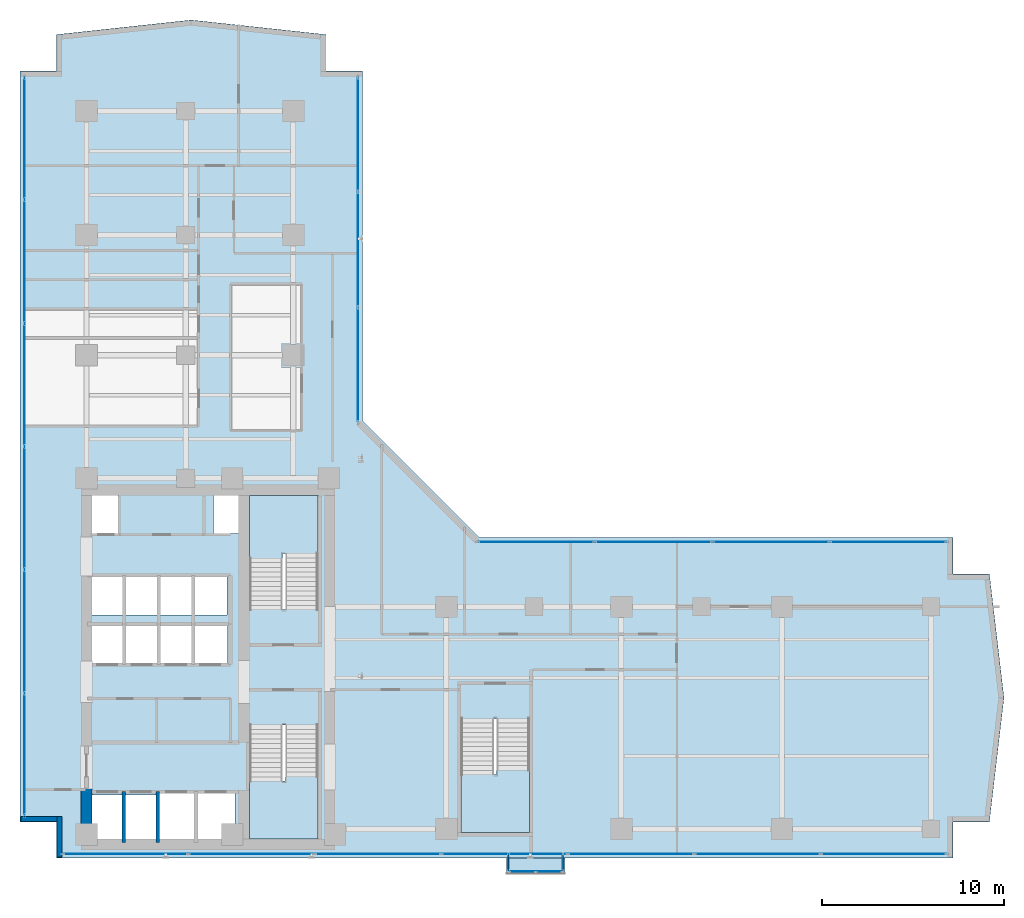
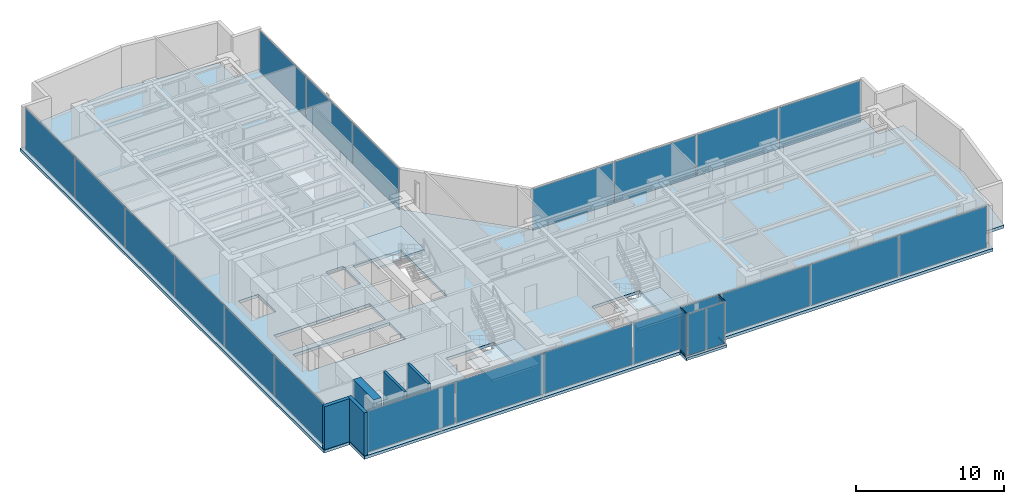
# One storey, part 18 of 24: 24 plates, 5 slabs, 5 walls, 4 members, 10 elements without a shape of their own.
"""IFC4 building model written with IfcOpenShell, lengths in metres."""

from ifc_helpers import new_model, si_unit, direction, frame, frame_2d, origin, origin_with_axes, origin_2d, place, context, subcontext, project, spatial, polyline, rectangle, hollow_rectangle, outline, extrude, source, transform, mapped, material, layer, layer_set, material_profile, profile_set, type_object, element, aggregate, save


model = new_model("IFC4")

# Units and contexts
model_context = context("Model", 3, precision=1e-05, world=origin(), true_north=direction((0.0, 1.0)))
body_context = subcontext(model_context, "Body", "Model", "MODEL_VIEW")
ifc_project = project(units=[si_unit("LENGTHUNIT", "METRE"), si_unit("AREAUNIT", "SQUARE_METRE"), si_unit("VOLUMEUNIT", "CUBIC_METRE"), si_unit("PLANEANGLEUNIT", "RADIAN"), si_unit("MASSUNIT", "GRAM", prefix="KILO")], contexts=[model_context])

# Site, building, storey
site_placement = place(None, origin())
site = spatial("IfcSite", under=ifc_project, at=site_placement, CompositionType="ELEMENT")
building_placement = place(site_placement, origin())
building = spatial("IfcBuilding", under=site, at=building_placement, Name="Kolvaren Waterfront Exchange", CompositionType="ELEMENT")
storey_placement = place(building_placement, frame((0.0, 0.0, 157.60009765625)))
storey = spatial("IfcBuildingStorey", under=building, at=storey_placement, Name="L40", CompositionType="ELEMENT", Elevation=157.60009765625)

# Curtain wall, members
ifc_material_1 = material(Name="Anodised bronze aluminium 6063-T6", Category="aluminium")
ifc_layer_1 = layer(ifc_material_1, 0.219970703125, Name="Anodised bronze aluminium 6063-T6")
ifc_layer_set_1 = layer_set([ifc_layer_1], Name="Anodised bronze aluminium 6063-T6")
curtain_wall_type_1 = type_object("IfcCurtainWallType", Name="ARC-CW-SYS3", PredefinedType="USERDEFINED", material=ifc_layer_set_1)
curtain_wall_1_placement = place(storey_placement, origin())
curtain_wall_1 = element("IfcCurtainWall", 1, at=curtain_wall_1_placement, inside=storey, type_object=curtain_wall_type_1, Name="L40 stick curtain wall CW3 (CW-L40-BOX-W)", ObjectType="STICK CURTAIN WALL", PredefinedType="USERDEFINED")
ifc_material_profile = material_profile(ifc_material_1, hollow_rectangle(XDim=0.06494140625, YDim=0.1298828125, WallThickness=0.00390625, at=origin_2d()), Name="ALU-TRN-130x65x4")
ifc_profile_set = profile_set([ifc_material_profile], Name="Anodised bronze aluminium 6063-T6")
member_type = type_object("IfcMemberType", Name="ARC-CWT-130", PredefinedType="USERDEFINED", material=ifc_profile_set)
shared_shape_1 = source(origin_with_axes(), body_context, "Body", "SweptSolid", [
    extrude(hollow_rectangle(XDim=0.06494140625, YDim=0.1298828125, WallThickness=0.00390625, at=origin_2d()), origin(), (0.0, 0.0, 1.0), 0.829833984375),
])
member_1_placement = place(storey_placement, frame((30.610107421875, 3.764892578125, 0.032470703125), z_axis=(0.0, -1.0, 0.0), x_axis=(1.0, 0.0, 0.0)))
member_1 = element("IfcMember", 2, at=member_1_placement, type_object=member_type, Name="CW3 transom 1.1", ObjectType="TRANSOM", PredefinedType="USERDEFINED", context=body_context, shape_type="MappedRepresentation", body=[
    mapped(shared_shape_1, transform((0.0, 0.0, 0.0), x_axis=(1.0, 0.0, 0.0), y_axis=(0.0, 1.0, 0.0), z_axis=(0.0, 0.0, 1.0), scale=1.0)),
])
member_2_placement = place(storey_placement, frame((30.610107421875, 3.764892578125, 3.52734375), z_axis=(0.0, -1.0, 0.0), x_axis=(1.0, 0.0, 0.0)))
member_2 = element("IfcMember", 3, at=member_2_placement, type_object=member_type, Name="CW3 transom 1.2", ObjectType="TRANSOM", PredefinedType="USERDEFINED", context=body_context, shape_type="MappedRepresentation", body=[
    mapped(shared_shape_1, transform((0.0, 0.0, 0.0), x_axis=(1.0, 0.0, 0.0), y_axis=(0.0, 1.0, 0.0), z_axis=(0.0, 0.0, 1.0), scale=1.0)),
])

curtain_wall_2_placement = place(storey_placement, origin())
curtain_wall_2 = element("IfcCurtainWall", 4, at=curtain_wall_2_placement, inside=storey, type_object=curtain_wall_type_1, Name="L40 stick curtain wall CW3 (CW-L40-BOX-E)", ObjectType="STICK CURTAIN WALL", PredefinedType="USERDEFINED")
member_3_placement = place(storey_placement, frame((33.590087890625, 2.93505859375, 0.032470703125), z_axis=(0.0, 1.0, 0.0), x_axis=(-1.0, 0.0, 0.0)))
member_3 = element("IfcMember", 5, at=member_3_placement, type_object=member_type, Name="CW3 transom 1.1", ObjectType="TRANSOM", PredefinedType="USERDEFINED", context=body_context, shape_type="MappedRepresentation", body=[
    mapped(shared_shape_1, transform((0.0, 0.0, 0.0), x_axis=(1.0, 0.0, 0.0), y_axis=(0.0, 1.0, 0.0), z_axis=(0.0, 0.0, 1.0), scale=1.0)),
])
member_4_placement = place(storey_placement, frame((33.590087890625, 2.93505859375, 3.52734375), z_axis=(0.0, 1.0, 0.0), x_axis=(-1.0, 0.0, 0.0)))
member_4 = element("IfcMember", 6, at=member_4_placement, type_object=member_type, Name="CW3 transom 1.2", ObjectType="TRANSOM", PredefinedType="USERDEFINED", context=body_context, shape_type="MappedRepresentation", body=[
    mapped(shared_shape_1, transform((0.0, 0.0, 0.0), x_axis=(1.0, 0.0, 0.0), y_axis=(0.0, 1.0, 0.0), z_axis=(0.0, 0.0, 1.0), scale=1.0)),
])

# Stair, slab
ifc_material_2 = material(Name="Concrete C40/50", Category="concrete")
stair_type = type_object("IfcStairType", Name="ARC-STAIR-3800", PredefinedType="HALF_TURN_STAIR", material=ifc_material_2)
stair_1_placement = place(storey_placement, origin())
stair_1 = element("IfcStair", 7, at=stair_1_placement, inside=storey, type_object=stair_type, Name="L40 Smoke-proof exit stair ST1", PredefinedType="HALF_TURN_STAIR")
ifc_layer_2 = layer(ifc_material_2, 0.199951171875, Name="Concrete C40/50")
ifc_layer_set_2 = layer_set([ifc_layer_2], Name="Concrete C40/50")
slab_type_1 = type_object("IfcSlabType", Name="STR-LANDING-200", PredefinedType="LANDING", material=ifc_layer_set_2)
slab_1_placement = place(storey_placement, frame((0.0, 0.0, 1.77587890625)))
slab_1 = element("IfcSlab", 8, at=slab_1_placement, type_object=slab_type_1, Name="ST1 landing 1", PredefinedType="LANDING", context=body_context, shape_type="SweptSolid", body=[
    extrude(outline(polyline([(16.39990234375, 7.840087890625), (16.39990234375, 4.64990234375), (20.159912109375, 4.64990234375), (20.159912109375, 8.10009765625), (18.360107421875, 8.10009765625), (18.360107421875, 7.840087890625), (16.39990234375, 7.840087890625)])), origin(), (0.0, 0.0, 1.0), 0.199951171875),
])
aggregate(stair_1, [slab_1])

stair_2_placement = place(storey_placement, origin())
stair_2 = element("IfcStair", 9, at=stair_2_placement, inside=storey, type_object=stair_type, Name="L40 Smoke-proof exit stair ST2", PredefinedType="HALF_TURN_STAIR")
slab_2_placement = place(storey_placement, frame((0.0, 0.0, 1.77587890625)))
slab_2 = element("IfcSlab", 10, at=slab_2_placement, type_object=slab_type_1, Name="ST2 landing 1", PredefinedType="LANDING", context=body_context, shape_type="SweptSolid", body=[
    extrude(outline(polyline([(20.159912109375, 20.31005859375), (20.159912109375, 23.5), (16.39990234375, 23.5), (16.39990234375, 20.050048828125), (18.199951171875, 20.050048828125), (18.199951171875, 20.31005859375), (20.159912109375, 20.31005859375)])), origin(), (0.0, 0.0, 1.0), 0.199951171875),
])
aggregate(stair_2, [slab_2])

stair_3_placement = place(storey_placement, origin())
stair_3 = element("IfcStair", 11, at=stair_3_placement, inside=storey, type_object=stair_type, Name="L40 Exit stair ST3", PredefinedType="HALF_TURN_STAIR")
slab_3_placement = place(storey_placement, frame((0.0, 0.0, 1.77587890625)))
slab_3 = element("IfcSlab", 12, at=slab_3_placement, type_object=slab_type_1, Name="ST3 landing 1", PredefinedType="LANDING", context=body_context, shape_type="SweptSolid", body=[
    extrude(outline(polyline([(28.0, 8.18994140625), (28.0, 5.0), (31.760009765625, 5.0), (31.760009765625, 8.449951171875), (29.9599609375, 8.449951171875), (29.9599609375, 8.18994140625), (28.0, 8.18994140625)])), origin(), (0.0, 0.0, 1.0), 0.199951171875),
])
aggregate(stair_3, [slab_3])

# Slabs
ifc_layer_3 = layer(ifc_material_2, 0.239990234375, Name="Concrete C40/50")
ifc_layer_set_3 = layer_set([ifc_layer_3], Name="Concrete C40/50")
slab_type_2 = type_object("IfcSlabType", Name="STR-SLAB-240", PredefinedType="FLOOR", material=ifc_layer_set_3)
slab_4_placement = place(storey_placement, frame((0.0, 0.0, -0.239990234375)))
element("IfcSlab", 13, at=slab_4_placement, inside=storey, type_object=slab_type_2, Name="L40 structural floor slab", PredefinedType="FLOOR", context=body_context, shape_type="SweptSolid", body=[
    extrude(outline(polyline([(5.800048828125, 3.60009765625), (55.0, 3.60009765625), (55.0, 5.60009765625), (57.0, 5.60009765625), (57.800048828125, 12.39990234375), (57.0, 19.199951171875), (55.0, 19.199951171875), (55.0, 21.199951171875), (29.0, 21.199951171875), (22.60009765625, 27.60009765625), (22.60009765625, 46.800048828125), (20.60009765625, 46.800048828125), (20.60009765625, 48.800048828125), (13.199951171875, 49.60009765625), (5.800048828125, 48.800048828125), (5.800048828125, 46.800048828125), (3.800048828125, 46.800048828125), (3.800048828125, 5.60009765625), (5.800048828125, 5.60009765625), (5.800048828125, 3.60009765625)]), holes=[polyline([(11.320068359375, 7.260009765625), (15.610107421875, 7.260009765625), (15.610107421875, 4.5400390625), (7.719970703125, 4.5400390625), (7.719970703125, 7.06005859375), (11.320068359375, 7.06005859375), (11.320068359375, 7.260009765625)]), polyline([(20.159912109375, 10.89990234375), (20.159912109375, 4.64990234375), (16.39990234375, 4.64990234375), (16.39990234375, 10.89990234375), (20.159912109375, 10.89990234375)]), polyline([(31.760009765625, 11.25), (31.760009765625, 5.0), (28.0, 5.0), (28.0, 11.25), (31.760009765625, 11.25)]), polyline([(15.18505859375, 14.239990234375), (7.64501953125, 14.239990234375), (7.64501953125, 16.4599609375), (15.18505859375, 16.4599609375), (15.18505859375, 14.239990234375)]), polyline([(15.159912109375, 16.93994140625), (7.669921875, 16.93994140625), (7.669921875, 19.06005859375), (15.159912109375, 19.06005859375), (15.159912109375, 16.93994140625)]), polyline([(16.39990234375, 23.5), (20.159912109375, 23.5), (20.159912109375, 17.25), (16.39990234375, 17.25), (16.39990234375, 23.5)]), polyline([(7.60009765625, 23.780029296875), (9.179931640625, 23.780029296875), (9.179931640625, 21.419921875), (7.60009765625, 21.419921875), (7.60009765625, 23.780029296875)]), polyline([(15.800048828125, 23.780029296875), (15.800048828125, 21.419921875), (14.419921875, 21.419921875), (14.419921875, 23.780029296875), (15.800048828125, 23.780029296875)])]), origin(), (0.0, 0.0, 1.0), 0.239990234375),
])
ifc_layer_4 = layer(ifc_material_2, 0.219970703125, Name="Concrete C40/50")
ifc_layer_set_4 = layer_set([ifc_layer_4], Name="Concrete C40/50")
slab_type_3 = type_object("IfcSlabType", Name="STR-TERR-220", PredefinedType="FLOOR", material=ifc_layer_set_4)
slab_5_placement = place(storey_placement, frame((0.0, 0.0, -0.22021484375)))
element("IfcSlab", 14, at=slab_5_placement, inside=storey, type_object=slab_type_3, Name="L40 projecting bay-box floor strip", PredefinedType="FLOOR", context=body_context, shape_type="SweptSolid", body=[
    extrude(outline(polyline([(30.5, 2.75), (33.699951171875, 2.75), (33.699951171875, 3.60009765625), (30.5, 3.60009765625), (30.5, 2.75)])), origin(), (0.0, 0.0, 1.0), 0.22021484375),
])

# Plate
ifc_material_3 = material(Name="Bronze tinted bay-box vision glass", Category="aluminium")
ifc_layer_5 = layer(ifc_material_3, 0.02392578125, Name="Bronze tinted bay-box vision glass")
ifc_layer_set_5 = layer_set([ifc_layer_5], Name="Bronze tinted bay-box vision glass")
plate_type_1 = type_object("IfcPlateType", Name="ARC-CWP-24", PredefinedType="CURTAIN_PANEL", material=ifc_layer_set_5)
shared_shape_2 = source(origin_with_axes(), body_context, "Body", "SweptSolid", [
    extrude(rectangle(XDim=0.830078125, YDim=0.02392578125, at=origin_2d()), origin(), (0.0, 0.0, 1.0), 3.429931640625),
])
plate_1_placement = place(storey_placement, frame((30.610107421875, 3.35009765625, 0.06494140625), z_axis=(0.0, 0.0, 1.0), x_axis=(0.0, -1.0, 0.0)))
plate_1 = element("IfcPlate", 15, at=plate_1_placement, type_object=plate_type_1, Name="CW3 panel 1.1", PredefinedType="CURTAIN_PANEL", context=body_context, shape_type="MappedRepresentation", body=[
    mapped(shared_shape_2, transform((0.0, 0.0, 0.0), x_axis=(1.0, 0.0, 0.0), y_axis=(0.0, 1.0, 0.0), z_axis=(0.0, 0.0, 1.0), scale=1.0)),
])

aggregate(curtain_wall_1, [member_1, member_2, plate_1])

plate_2_placement = place(storey_placement, frame((33.590087890625, 3.35009765625, 0.06494140625), z_axis=(0.0, 0.0, 1.0), x_axis=(0.0, 1.0, 0.0)))
plate_2 = element("IfcPlate", 16, at=plate_2_placement, type_object=plate_type_1, Name="CW3 panel 1.1", PredefinedType="CURTAIN_PANEL", context=body_context, shape_type="MappedRepresentation", body=[
    mapped(shared_shape_2, transform((0.0, 0.0, 0.0), x_axis=(1.0, 0.0, 0.0), y_axis=(0.0, 1.0, 0.0), z_axis=(0.0, 0.0, 1.0), scale=1.0)),
])

aggregate(curtain_wall_2, [member_3, member_4, plate_2])

# Curtain wall, plates
curtain_wall_3_placement = place(storey_placement, origin())
curtain_wall_3 = element("IfcCurtainWall", 17, at=curtain_wall_3_placement, inside=storey, type_object=curtain_wall_type_1, Name="L40 stick curtain wall CW3 (CW-L40-BOX)", ObjectType="STICK CURTAIN WALL", PredefinedType="USERDEFINED")
shared_shape_3 = source(origin_with_axes(), body_context, "Body", "SweptSolid", [
    extrude(rectangle(XDim=1.37744140625, YDim=0.02392578125, at=origin_2d()), origin(), (0.0, 0.0, 1.0), 3.429931640625),
])
plate_3_placement = place(storey_placement, frame((31.373779296875, 2.860107421875, 0.06494140625), z_axis=(0.0, 0.0, 1.0), x_axis=(1.0, 0.0, 0.0)))
plate_3 = element("IfcPlate", 18, at=plate_3_placement, type_object=plate_type_1, Name="CW3 panel 1.1", PredefinedType="CURTAIN_PANEL", context=body_context, shape_type="MappedRepresentation", body=[
    mapped(shared_shape_3, transform((0.0, 0.0, 0.0), x_axis=(1.0, 0.0, 0.0), y_axis=(0.0, 1.0, 0.0), z_axis=(0.0, 0.0, 1.0), scale=1.0)),
])
plate_4_placement = place(storey_placement, frame((32.826171875, 2.860107421875, 0.06494140625), z_axis=(0.0, 0.0, 1.0), x_axis=(1.0, 0.0, 0.0)))
plate_4 = element("IfcPlate", 19, at=plate_4_placement, type_object=plate_type_1, Name="CW3 panel 2.1", PredefinedType="CURTAIN_PANEL", context=body_context, shape_type="MappedRepresentation", body=[
    mapped(shared_shape_3, transform((0.0, 0.0, 0.0), x_axis=(1.0, 0.0, 0.0), y_axis=(0.0, 1.0, 0.0), z_axis=(0.0, 0.0, 1.0), scale=1.0)),
])
aggregate(curtain_wall_3, [plate_3, plate_4])

ifc_layer_6 = layer(ifc_material_1, 0.219970703125, Name="Anodised bronze aluminium 6063-T6")
ifc_layer_set_6 = layer_set([ifc_layer_6], Name="Anodised bronze aluminium 6063-T6")
curtain_wall_type_2 = type_object("IfcCurtainWallType", Name="ARC-CW-SYS1", PredefinedType="USERDEFINED", material=ifc_layer_set_6)
curtain_wall_4_placement = place(storey_placement, origin())
curtain_wall_4 = element("IfcCurtainWall", 20, at=curtain_wall_4_placement, inside=storey, type_object=curtain_wall_type_2, Name="L40 stick curtain wall CW1 (CW-L40-S)", ObjectType="STICK CURTAIN WALL", PredefinedType="USERDEFINED")
ifc_material_4 = material(Name="Bronze solar control vision glass", Category="aluminium")
ifc_layer_7 = layer(ifc_material_4, 0.028076171875, Name="Bronze solar control vision glass")
ifc_layer_set_7 = layer_set([ifc_layer_7], Name="Bronze solar control vision glass")
plate_type_2 = type_object("IfcPlateType", Name="ARC-CWP-28", PredefinedType="CURTAIN_PANEL", material=ifc_layer_set_7)
shared_shape_4 = source(origin_with_axes(), body_context, "Body", "SweptSolid", [
    extrude(rectangle(XDim=6.82275390625, YDim=0.028076171875, at=origin_2d()), origin(), (0.0, 0.0, 1.0), 3.409912109375),
])
plate_5_placement = place(storey_placement, frame((9.59130859375, 3.840087890625, 0.07470703125), z_axis=(0.0, 0.0, 1.0), x_axis=(1.0, 0.0, 0.0)))
plate_5 = element("IfcPlate", 21, at=plate_5_placement, type_object=plate_type_2, Name="CW1 panel 1.1", PredefinedType="CURTAIN_PANEL", context=body_context, shape_type="MappedRepresentation", body=[
    mapped(shared_shape_4, transform((0.0, 0.0, 0.0), x_axis=(1.0, 0.0, 0.0), y_axis=(0.0, 1.0, 0.0), z_axis=(0.0, 0.0, 1.0), scale=1.0)),
])
plate_6_placement = place(storey_placement, frame((51.20849609375, 3.840087890625, 0.07470703125), z_axis=(0.0, 0.0, 1.0), x_axis=(1.0, 0.0, 0.0)))
plate_6 = element("IfcPlate", 22, at=plate_6_placement, type_object=plate_type_2, Name="CW1 panel 7.1", PredefinedType="CURTAIN_PANEL", context=body_context, shape_type="MappedRepresentation", body=[
    mapped(shared_shape_4, transform((0.0, 0.0, 0.0), x_axis=(1.0, 0.0, 0.0), y_axis=(0.0, 1.0, 0.0), z_axis=(0.0, 0.0, 1.0), scale=1.0)),
])
shared_shape_5 = source(origin_with_axes(), body_context, "Body", "SweptSolid", [
    extrude(rectangle(XDim=6.86279296875, YDim=0.028076171875, at=origin_2d()), origin(), (0.0, 0.0, 1.0), 3.409912109375),
])
plate_7_placement = place(storey_placement, frame((16.514404296875, 3.840087890625, 0.07470703125), z_axis=(0.0, 0.0, 1.0), x_axis=(1.0, 0.0, 0.0)))
plate_7 = element("IfcPlate", 23, at=plate_7_placement, type_object=plate_type_2, Name="CW1 panel 2.1", PredefinedType="CURTAIN_PANEL", context=body_context, shape_type="MappedRepresentation", body=[
    mapped(shared_shape_5, transform((0.0, 0.0, 0.0), x_axis=(1.0, 0.0, 0.0), y_axis=(0.0, 1.0, 0.0), z_axis=(0.0, 0.0, 1.0), scale=1.0)),
])
plate_8_placement = place(storey_placement, frame((23.45703125, 3.840087890625, 0.07470703125), z_axis=(0.0, 0.0, 1.0), x_axis=(1.0, 0.0, 0.0)))
plate_8 = element("IfcPlate", 24, at=plate_8_placement, type_object=plate_type_2, Name="CW1 panel 3.1", PredefinedType="CURTAIN_PANEL", context=body_context, shape_type="MappedRepresentation", body=[
    mapped(shared_shape_5, transform((0.0, 0.0, 0.0), x_axis=(1.0, 0.0, 0.0), y_axis=(0.0, 1.0, 0.0), z_axis=(0.0, 0.0, 1.0), scale=1.0)),
])
plate_9_placement = place(storey_placement, frame((30.39990234375, 3.840087890625, 0.07470703125), z_axis=(0.0, 0.0, 1.0), x_axis=(1.0, 0.0, 0.0)))
plate_9 = element("IfcPlate", 25, at=plate_9_placement, type_object=plate_type_2, Name="CW1 panel 4.1", PredefinedType="CURTAIN_PANEL", context=body_context, shape_type="MappedRepresentation", body=[
    mapped(shared_shape_5, transform((0.0, 0.0, 0.0), x_axis=(1.0, 0.0, 0.0), y_axis=(0.0, 1.0, 0.0), z_axis=(0.0, 0.0, 1.0), scale=1.0)),
])
plate_10_placement = place(storey_placement, frame((37.3427734375, 3.840087890625, 0.07470703125), z_axis=(0.0, 0.0, 1.0), x_axis=(1.0, 0.0, 0.0)))
plate_10 = element("IfcPlate", 26, at=plate_10_placement, type_object=plate_type_2, Name="CW1 panel 5.1", PredefinedType="CURTAIN_PANEL", context=body_context, shape_type="MappedRepresentation", body=[
    mapped(shared_shape_5, transform((0.0, 0.0, 0.0), x_axis=(1.0, 0.0, 0.0), y_axis=(0.0, 1.0, 0.0), z_axis=(0.0, 0.0, 1.0), scale=1.0)),
])
plate_11_placement = place(storey_placement, frame((44.28564453125, 3.840087890625, 0.07470703125), z_axis=(0.0, 0.0, 1.0), x_axis=(1.0, 0.0, 0.0)))
plate_11 = element("IfcPlate", 27, at=plate_11_placement, type_object=plate_type_2, Name="CW1 panel 6.1", PredefinedType="CURTAIN_PANEL", context=body_context, shape_type="MappedRepresentation", body=[
    mapped(shared_shape_5, transform((0.0, 0.0, 0.0), x_axis=(1.0, 0.0, 0.0), y_axis=(0.0, 1.0, 0.0), z_axis=(0.0, 0.0, 1.0), scale=1.0)),
])
aggregate(curtain_wall_4, [plate_5, plate_7, plate_8, plate_9, plate_10, plate_11, plate_6])

curtain_wall_5_placement = place(storey_placement, origin())
curtain_wall_5 = element("IfcCurtainWall", 28, at=curtain_wall_5_placement, inside=storey, type_object=curtain_wall_type_2, Name="L40 stick curtain wall CW1 (CW-L40-NE)", ObjectType="STICK CURTAIN WALL", PredefinedType="USERDEFINED")
shared_shape_6 = source(origin_with_axes(), body_context, "Body", "SweptSolid", [
    extrude(rectangle(XDim=6.216552734375, YDim=0.028076171875, at=origin_2d()), origin(), (0.0, 0.0, 1.0), 3.409912109375),
])
plate_12_placement = place(storey_placement, frame((22.360107421875, 30.67822265625, 0.07470703125), z_axis=(0.0, 0.0, 1.0), x_axis=(0.0, 1.0, 0.0)))
plate_12 = element("IfcPlate", 29, at=plate_12_placement, type_object=plate_type_2, Name="CW1 panel 1.1", PredefinedType="CURTAIN_PANEL", context=body_context, shape_type="MappedRepresentation", body=[
    mapped(shared_shape_6, transform((0.0, 0.0, 0.0), x_axis=(1.0, 0.0, 0.0), y_axis=(0.0, 1.0, 0.0), z_axis=(0.0, 0.0, 1.0), scale=1.0)),
])
plate_13_placement = place(storey_placement, frame((22.360107421875, 43.311767578125, 0.07470703125), z_axis=(0.0, 0.0, 1.0), x_axis=(0.0, 1.0, 0.0)))
plate_13 = element("IfcPlate", 30, at=plate_13_placement, type_object=plate_type_2, Name="CW1 panel 3.1", PredefinedType="CURTAIN_PANEL", context=body_context, shape_type="MappedRepresentation", body=[
    mapped(shared_shape_6, transform((0.0, 0.0, 0.0), x_axis=(1.0, 0.0, 0.0), y_axis=(0.0, 1.0, 0.0), z_axis=(0.0, 0.0, 1.0), scale=1.0)),
])
shared_shape_7 = source(origin_with_axes(), body_context, "Body", "SweptSolid", [
    extrude(rectangle(XDim=6.256591796875, YDim=0.028076171875, at=origin_2d()), origin(), (0.0, 0.0, 1.0), 3.409912109375),
])
plate_14_placement = place(storey_placement, frame((22.360107421875, 36.9951171875, 0.07470703125), z_axis=(0.0, 0.0, 1.0), x_axis=(0.0, 1.0, 0.0)))
plate_14 = element("IfcPlate", 31, at=plate_14_placement, type_object=plate_type_2, Name="CW1 panel 2.1", PredefinedType="CURTAIN_PANEL", context=body_context, shape_type="MappedRepresentation", body=[
    mapped(shared_shape_7, transform((0.0, 0.0, 0.0), x_axis=(1.0, 0.0, 0.0), y_axis=(0.0, 1.0, 0.0), z_axis=(0.0, 0.0, 1.0), scale=1.0)),
])
aggregate(curtain_wall_5, [plate_12, plate_14, plate_13])

curtain_wall_6_placement = place(storey_placement, origin())
curtain_wall_6 = element("IfcCurtainWall", 32, at=curtain_wall_6_placement, inside=storey, type_object=curtain_wall_type_2, Name="L40 stick curtain wall CW1 (CW-L40-EN)", ObjectType="STICK CURTAIN WALL", PredefinedType="USERDEFINED")
shared_shape_8 = source(origin_with_axes(), body_context, "Body", "SweptSolid", [
    extrude(rectangle(XDim=6.33251953125, YDim=0.028076171875, at=origin_2d()), origin(), (0.0, 0.0, 1.0), 3.409912109375),
])
plate_15_placement = place(storey_placement, frame((32.13623046875, 20.9599609375, 0.07470703125), z_axis=(0.0, 0.0, 1.0), x_axis=(1.0, 0.0, 0.0)))
plate_15 = element("IfcPlate", 33, at=plate_15_placement, type_object=plate_type_2, Name="CW1 panel 1.1", PredefinedType="CURTAIN_PANEL", context=body_context, shape_type="MappedRepresentation", body=[
    mapped(shared_shape_8, transform((0.0, 0.0, 0.0), x_axis=(1.0, 0.0, 0.0), y_axis=(0.0, 1.0, 0.0), z_axis=(0.0, 0.0, 1.0), scale=1.0)),
])
plate_16_placement = place(storey_placement, frame((51.453857421875, 20.9599609375, 0.07470703125), z_axis=(0.0, 0.0, 1.0), x_axis=(1.0, 0.0, 0.0)))
plate_16 = element("IfcPlate", 34, at=plate_16_placement, type_object=plate_type_2, Name="CW1 panel 4.1", PredefinedType="CURTAIN_PANEL", context=body_context, shape_type="MappedRepresentation", body=[
    mapped(shared_shape_8, transform((0.0, 0.0, 0.0), x_axis=(1.0, 0.0, 0.0), y_axis=(0.0, 1.0, 0.0), z_axis=(0.0, 0.0, 1.0), scale=1.0)),
])
shared_shape_9 = source(origin_with_axes(), body_context, "Body", "SweptSolid", [
    extrude(rectangle(XDim=6.37255859375, YDim=0.028076171875, at=origin_2d()), origin(), (0.0, 0.0, 1.0), 3.409912109375),
])
plate_17_placement = place(storey_placement, frame((38.56884765625, 20.9599609375, 0.07470703125), z_axis=(0.0, 0.0, 1.0), x_axis=(1.0, 0.0, 0.0)))
plate_17 = element("IfcPlate", 35, at=plate_17_placement, type_object=plate_type_2, Name="CW1 panel 2.1", PredefinedType="CURTAIN_PANEL", context=body_context, shape_type="MappedRepresentation", body=[
    mapped(shared_shape_9, transform((0.0, 0.0, 0.0), x_axis=(1.0, 0.0, 0.0), y_axis=(0.0, 1.0, 0.0), z_axis=(0.0, 0.0, 1.0), scale=1.0)),
])
plate_18_placement = place(storey_placement, frame((45.021240234375, 20.9599609375, 0.07470703125), z_axis=(0.0, 0.0, 1.0), x_axis=(1.0, 0.0, 0.0)))
plate_18 = element("IfcPlate", 36, at=plate_18_placement, type_object=plate_type_2, Name="CW1 panel 3.1", PredefinedType="CURTAIN_PANEL", context=body_context, shape_type="MappedRepresentation", body=[
    mapped(shared_shape_9, transform((0.0, 0.0, 0.0), x_axis=(1.0, 0.0, 0.0), y_axis=(0.0, 1.0, 0.0), z_axis=(0.0, 0.0, 1.0), scale=1.0)),
])
aggregate(curtain_wall_6, [plate_15, plate_17, plate_18, plate_16])

ifc_material_5 = material(Name="Anodised aluminium 6063-T6", Category="aluminium")
ifc_layer_8 = layer(ifc_material_5, 0.219970703125, Name="Anodised aluminium 6063-T6")
ifc_layer_set_8 = layer_set([ifc_layer_8], Name="Anodised aluminium 6063-T6")
curtain_wall_type_3 = type_object("IfcCurtainWallType", Name="ARC-CW-SYS2", PredefinedType="USERDEFINED", material=ifc_layer_set_8)
curtain_wall_7_placement = place(storey_placement, origin())
curtain_wall_7 = element("IfcCurtainWall", 37, at=curtain_wall_7_placement, inside=storey, type_object=curtain_wall_type_3, Name="L40 stick curtain wall CW2 (CW-L40-W)", ObjectType="STICK CURTAIN WALL", PredefinedType="USERDEFINED")
ifc_material_6 = material(Name="Acoustic laminated vision glass", Category="glass")
ifc_layer_9 = layer(ifc_material_6, 0.031982421875, Name="Acoustic laminated vision glass")
ifc_layer_set_9 = layer_set([ifc_layer_9], Name="Acoustic laminated vision glass")
plate_type_3 = type_object("IfcPlateType", Name="ARC-CWP-32", PredefinedType="CURTAIN_PANEL", material=ifc_layer_set_9)
shared_shape_10 = source(origin_with_axes(), body_context, "Body", "SweptSolid", [
    extrude(rectangle(XDim=6.646728515625, YDim=0.031982421875, at=origin_2d()), origin(), (0.0, 0.0, 1.0), 3.409912109375),
])
plate_19_placement = place(storey_placement, frame((4.0400390625, 9.30322265625, 0.07470703125), z_axis=(0.0, 0.0, 1.0), x_axis=(0.0, 1.0, 0.0)))
plate_19 = element("IfcPlate", 38, at=plate_19_placement, type_object=plate_type_3, Name="CW2 panel 1.1", PredefinedType="CURTAIN_PANEL", context=body_context, shape_type="MappedRepresentation", body=[
    mapped(shared_shape_10, transform((0.0, 0.0, 0.0), x_axis=(1.0, 0.0, 0.0), y_axis=(0.0, 1.0, 0.0), z_axis=(0.0, 0.0, 1.0), scale=1.0)),
])
plate_20_placement = place(storey_placement, frame((4.0400390625, 43.0966796875, 0.07470703125), z_axis=(0.0, 0.0, 1.0), x_axis=(0.0, 1.0, 0.0)))
plate_20 = element("IfcPlate", 39, at=plate_20_placement, type_object=plate_type_3, Name="CW2 panel 6.1", PredefinedType="CURTAIN_PANEL", context=body_context, shape_type="MappedRepresentation", body=[
    mapped(shared_shape_10, transform((0.0, 0.0, 0.0), x_axis=(1.0, 0.0, 0.0), y_axis=(0.0, 1.0, 0.0), z_axis=(0.0, 0.0, 1.0), scale=1.0)),
])
shared_shape_11 = source(origin_with_axes(), body_context, "Body", "SweptSolid", [
    extrude(rectangle(XDim=6.686767578125, YDim=0.031982421875, at=origin_2d()), origin(), (0.0, 0.0, 1.0), 3.409912109375),
])
plate_21_placement = place(storey_placement, frame((4.0400390625, 16.050048828125, 0.07470703125), z_axis=(0.0, 0.0, 1.0), x_axis=(0.0, 1.0, 0.0)))
plate_21 = element("IfcPlate", 40, at=plate_21_placement, type_object=plate_type_3, Name="CW2 panel 2.1", PredefinedType="CURTAIN_PANEL", context=body_context, shape_type="MappedRepresentation", body=[
    mapped(shared_shape_11, transform((0.0, 0.0, 0.0), x_axis=(1.0, 0.0, 0.0), y_axis=(0.0, 1.0, 0.0), z_axis=(0.0, 0.0, 1.0), scale=1.0)),
])
plate_22_placement = place(storey_placement, frame((4.0400390625, 22.816650390625, 0.07470703125), z_axis=(0.0, 0.0, 1.0), x_axis=(0.0, 1.0, 0.0)))
plate_22 = element("IfcPlate", 41, at=plate_22_placement, type_object=plate_type_3, Name="CW2 panel 3.1", PredefinedType="CURTAIN_PANEL", context=body_context, shape_type="MappedRepresentation", body=[
    mapped(shared_shape_11, transform((0.0, 0.0, 0.0), x_axis=(1.0, 0.0, 0.0), y_axis=(0.0, 1.0, 0.0), z_axis=(0.0, 0.0, 1.0), scale=1.0)),
])
plate_23_placement = place(storey_placement, frame((4.0400390625, 29.583251953125, 0.07470703125), z_axis=(0.0, 0.0, 1.0), x_axis=(0.0, 1.0, 0.0)))
plate_23 = element("IfcPlate", 42, at=plate_23_placement, type_object=plate_type_3, Name="CW2 panel 4.1", PredefinedType="CURTAIN_PANEL", context=body_context, shape_type="MappedRepresentation", body=[
    mapped(shared_shape_11, transform((0.0, 0.0, 0.0), x_axis=(1.0, 0.0, 0.0), y_axis=(0.0, 1.0, 0.0), z_axis=(0.0, 0.0, 1.0), scale=1.0)),
])
plate_24_placement = place(storey_placement, frame((4.0400390625, 36.35009765625, 0.07470703125), z_axis=(0.0, 0.0, 1.0), x_axis=(0.0, 1.0, 0.0)))
plate_24 = element("IfcPlate", 43, at=plate_24_placement, type_object=plate_type_3, Name="CW2 panel 5.1", PredefinedType="CURTAIN_PANEL", context=body_context, shape_type="MappedRepresentation", body=[
    mapped(shared_shape_11, transform((0.0, 0.0, 0.0), x_axis=(1.0, 0.0, 0.0), y_axis=(0.0, 1.0, 0.0), z_axis=(0.0, 0.0, 1.0), scale=1.0)),
])
aggregate(curtain_wall_7, [plate_19, plate_21, plate_22, plate_23, plate_24, plate_20])

# Walls
ifc_material_7 = material(Name="Precast concrete C40/50", Category="concrete")
ifc_layer_10 = layer(ifc_material_7, 0.280029296875, Name="Precast concrete C40/50")
ifc_layer_set_10 = layer_set([ifc_layer_10], Name="Precast concrete C40/50")
wall_type_1 = type_object("IfcWallType", Name="ARC-EXT-TERR-280", PredefinedType="SOLIDWALL", material=ifc_layer_set_10)
wall_1_placement = place(storey_placement, frame((5.9599609375, 3.659912109375, 0.0), z_axis=(0.0, 0.0, 1.0), x_axis=(0.0, 1.0, 0.0)))
element("IfcWall", 44, at=wall_1_placement, inside=storey, type_object=wall_type_1, Name="L40 notched corner spandrel pier SW-A", PredefinedType="SOLIDWALL", context=body_context, shape_type="SweptSolid", body=[
    extrude(rectangle(XDim=2.239990234375, YDim=0.280029296875, at=frame_2d((1.1201171875, 0.0))), origin(), (0.0, 0.0, 1.0), 3.559814453125),
])
wall_2_placement = place(storey_placement, frame((3.860107421875, 5.760009765625, 0.0), z_axis=(0.0, 0.0, 1.0), x_axis=(1.0, 0.0, 0.0)))
element("IfcWall", 45, at=wall_2_placement, inside=storey, type_object=wall_type_1, Name="L40 notched corner spandrel pier SW-B", PredefinedType="SOLIDWALL", context=body_context, shape_type="SweptSolid", body=[
    extrude(rectangle(XDim=1.9599609375, YDim=0.280029296875, at=frame_2d((0.97998046875, 0.0))), origin(), (0.0, 0.0, 1.0), 3.559814453125),
])
ifc_layer_11 = layer(ifc_material_2, 0.199951171875, Name="Concrete C40/50")
ifc_layer_set_11 = layer_set([ifc_layer_11], Name="Concrete C40/50")
wall_type_2 = type_object("IfcWallType", Name="ARC-SHAFT-200", PredefinedType="PARTITIONING", material=ifc_layer_set_11)
for number, where, z_axis, x_axis, name in (
    (46, (9.5, 4.449951171875, 0.0), (0.0, 0.0, 1.0), (0.0, 1.0, 0.0), "L40 interior wall PW-L40-SH1-DIV-95"),
    (47, (11.360107421875, 4.449951171875, 0.0), (0.0, 0.0, 1.0), (0.0, 1.0, 0.0), "L40 interior wall PW-L40-SH1-DIV-113"),
):
    element("IfcWall", number, at=place(storey_placement, frame(where, z_axis=z_axis, x_axis=x_axis)), inside=storey, type_object=wall_type_2, Name=name, PredefinedType="PARTITIONING", context=body_context, shape_type="SweptSolid", body=[
        extrude(rectangle(XDim=2.800048828125, YDim=0.199951171875, at=frame_2d((1.39990234375, 0.0))), origin(), (0.0, 0.0, 1.0), 3.559814453125),
    ])
ifc_material_8 = material(Name="Concrete C60/75", Category="concrete")
ifc_layer_12 = layer(ifc_material_8, 0.60009765625, Name="Concrete C60/75")
ifc_layer_set_12 = layer_set([ifc_layer_12], Name="Concrete C60/75")
wall_type_3 = type_object("IfcWallType", Name="STR-CWALL-600", PredefinedType="SHEAR", material=ifc_layer_set_12)
wall_3_placement = place(storey_placement, frame((7.449951171875, 4.64990234375, 0.0), z_axis=(0.0, 0.0, 1.0), x_axis=(0.0, 1.0, 0.0)))
element("IfcWall", 48, at=wall_3_placement, inside=storey, type_object=wall_type_3, Name="L40 rear-core shear wall W1", PredefinedType="SHEAR", context=body_context, shape_type="SweptSolid", body=[
    extrude(rectangle(XDim=2.800048828125, YDim=0.60009765625, at=frame_2d((1.39990234375, 0.0))), origin(), (0.0, 0.0, 1.0), 3.559814453125),
])

save(model, "model.ifc")
